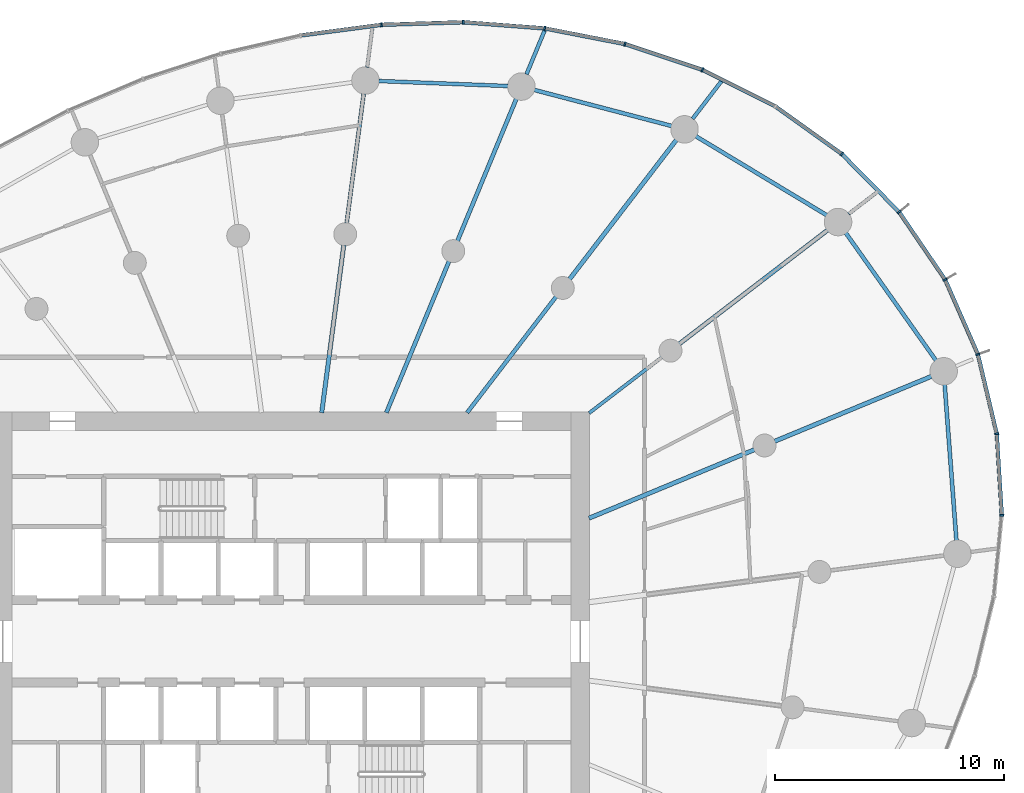
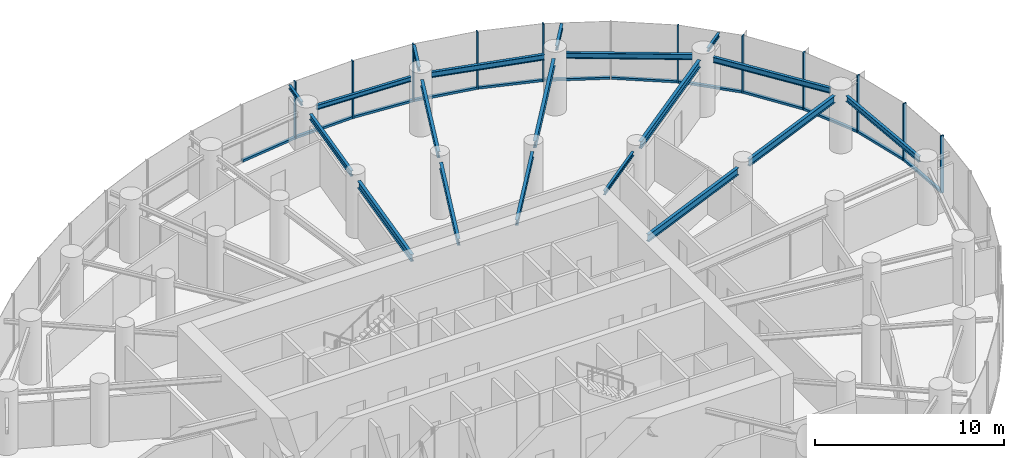
# One storey, part 7 of 18: 23 members, 19 beams, 3 elements without a shape of their own.
"""IFC4 building model written with IfcOpenShell, lengths in metres."""

from ifc_helpers import new_model, si_unit, direction, frame, origin, origin_2d, place, context, subcontext, project, spatial, rectangle, i_section, extrude, source, transform, mapped, material, layer, layer_set, material_profile, profile_set, type_object, element, aggregate, save


model = new_model("IFC4")

# Units and contexts
model_context = context("Model", 3, precision=1e-05, world=origin(), true_north=direction((0.0, 1.0)))
body_context = subcontext(model_context, "Body", "Model", "MODEL_VIEW")
ifc_project = project(units=[si_unit("LENGTHUNIT", "METRE"), si_unit("AREAUNIT", "SQUARE_METRE"), si_unit("VOLUMEUNIT", "CUBIC_METRE"), si_unit("PLANEANGLEUNIT", "RADIAN"), si_unit("MASSUNIT", "GRAM", prefix="KILO")], contexts=[model_context])

# Site, building, storey
site_placement = place(None, origin())
site = spatial("IfcSite", under=ifc_project, at=site_placement, CompositionType="ELEMENT")
building_placement = place(site_placement, origin())
building = spatial("IfcBuilding", under=site, at=building_placement, Name="Spindrift Exchange Tower", CompositionType="ELEMENT")
storey_placement = place(building_placement, frame((0.0, 0.0, 116.699951171875)))
storey = spatial("IfcBuildingStorey", under=building, at=storey_placement, Name="L27", CompositionType="ELEMENT", Elevation=116.699951171875)

# Beams
ifc_material_1 = material(Name="Steel Grade 300", Category="steel")
ifc_material_profile_1 = material_profile(ifc_material_1, i_section(OverallWidth=0.18994140625, OverallDepth=0.45703125, WebThickness=0.009033203125, FlangeThickness=0.014404296875, FilletRadius=0.013916015625, at=origin_2d()), Name="460UB74.6")
ifc_profile_set_1 = profile_set([ifc_material_profile_1], Name="Steel Grade 300")
beam_type_1 = type_object("IfcBeamType", Name="Floor Beam 460UB74.6 Steel Grade 300", PredefinedType="BEAM", material=ifc_profile_set_1)
shared_shape_1 = source(origin(), body_context, "Body", "SweptSolid", [
    extrude(i_section(OverallWidth=0.18994140625, OverallDepth=0.45703125, WebThickness=0.009033203125, FlangeThickness=0.014404296875, FilletRadius=0.013916015625, at=origin_2d()), origin(), (0.0, 0.0, 1.0), 7.808837890625),
])
beam_1_placement = place(storey_placement, frame((64.9814453125, 53.377197265625, 3.471435546875), z_axis=(0.92387965154, 0.382683145003, 0.0), x_axis=(-0.382683145003, 0.92387965154, 0.0)))
element("IfcBeam", 1, at=beam_1_placement, inside=storey, type_object=beam_type_1, Name="L27 radial beam R02A", PredefinedType="BEAM", context=body_context, shape_type="MappedRepresentation", body=[
    mapped(shared_shape_1, transform((0.0, 0.0, 0.0), scale=1.0)),
])
ifc_material_profile_2 = material_profile(ifc_material_1, i_section(OverallWidth=0.14599609375, OverallDepth=0.251953125, WebThickness=0.006103515625, FlangeThickness=0.008544921875, FilletRadius=0.011962890625, at=origin_2d()), Name="250UB31.4")
ifc_profile_set_2 = profile_set([ifc_material_profile_2], Name="Steel Grade 300")
beam_type_2 = type_object("IfcBeamType", Name="Floor Beam 250UB31.4 Steel Grade 300", PredefinedType="BEAM", material=ifc_profile_set_2)
shared_shape_2 = source(origin(), body_context, "Body", "SweptSolid", [
    extrude(i_section(OverallWidth=0.14599609375, OverallDepth=0.251953125, WebThickness=0.006103515625, FlangeThickness=0.008544921875, FilletRadius=0.011962890625, at=origin_2d()), origin(), (0.0, 0.0, 1.0), 3.99560546875),
])
beam_2_placement = place(storey_placement, frame((64.984130859375, 57.963134765625, 3.573974609375), z_axis=(0.793352561574, 0.608762443851, 0.0), x_axis=(-0.608762443851, 0.793352561574, 0.0)))
element("IfcBeam", 2, at=beam_2_placement, inside=storey, type_object=beam_type_2, Name="L27 radial beam R03A", PredefinedType="BEAM", context=body_context, shape_type="MappedRepresentation", body=[
    mapped(shared_shape_2, transform((0.0, 0.0, 0.0), scale=1.0)),
])
ifc_material_profile_3 = material_profile(ifc_material_1, i_section(OverallWidth=0.172119140625, OverallDepth=0.35888671875, WebThickness=0.008056640625, FlangeThickness=0.012939453125, FilletRadius=0.013916015625, at=origin_2d()), Name="360UB56.7")
ifc_profile_set_3 = profile_set([ifc_material_profile_3], Name="Steel Grade 300")
beam_type_3 = type_object("IfcBeamType", Name="Floor Beam 360UB56.7 Steel Grade 300", PredefinedType="BEAM", material=ifc_profile_set_3)
shared_shape_3 = source(origin(), body_context, "Body", "SweptSolid", [
    extrude(i_section(OverallWidth=0.172119140625, OverallDepth=0.35888671875, WebThickness=0.008056640625, FlangeThickness=0.012939453125, FilletRadius=0.013916015625, at=origin_2d()), origin(), (0.0, 0.0, 1.0), 6.37646484375),
])
beam_3_placement = place(storey_placement, frame((59.6611328125, 57.984130859375, 3.5205078125), z_axis=(0.608766669952, 0.793349318747, 0.0), x_axis=(-0.793349318747, 0.608766669952, 0.0)))
element("IfcBeam", 3, at=beam_3_placement, inside=storey, type_object=beam_type_3, Name="L27 radial beam R04A", PredefinedType="BEAM", context=body_context, shape_type="MappedRepresentation", body=[
    mapped(shared_shape_3, transform((0.0, 0.0, 0.0), scale=1.0)),
])
ifc_material_profile_4 = material_profile(ifc_material_1, i_section(OverallWidth=0.177978515625, OverallDepth=0.406005859375, WebThickness=0.0078125, FlangeThickness=0.0126953125, FilletRadius=0.013916015625, at=origin_2d()), Name="410UB59.7")
ifc_profile_set_4 = profile_set([ifc_material_profile_4], Name="Steel Grade 300")
beam_type_4 = type_object("IfcBeamType", Name="Floor Beam 410UB59.7 Steel Grade 300", PredefinedType="BEAM", material=ifc_profile_set_4)
shared_shape_4 = source(origin(), body_context, "Body", "SweptSolid", [
    extrude(i_section(OverallWidth=0.177978515625, OverallDepth=0.406005859375, WebThickness=0.0078125, FlangeThickness=0.0126953125, FilletRadius=0.013916015625, at=origin_2d()), origin(), (0.0, 0.0, 1.0), 7.150634765625),
])
beam_4_placement = place(storey_placement, frame((56.134521484375, 57.9814453125, 3.4970703125), z_axis=(0.382665393358, 0.923887004306, 0.0), x_axis=(-0.923887004306, 0.382665393358, 0.0)))
element("IfcBeam", 4, at=beam_4_placement, inside=storey, type_object=beam_type_4, Name="L27 radial beam R05A", PredefinedType="BEAM", context=body_context, shape_type="MappedRepresentation", body=[
    mapped(shared_shape_4, transform((0.0, 0.0, 0.0), scale=1.0)),
])
shared_shape_5 = source(origin(), body_context, "Body", "SweptSolid", [
    extrude(i_section(OverallWidth=0.18994140625, OverallDepth=0.45703125, WebThickness=0.009033203125, FlangeThickness=0.014404296875, FilletRadius=0.013916015625, at=origin_2d()), origin(), (0.0, 0.0, 1.0), 7.374267578125),
])
beam_5_placement = place(storey_placement, frame((53.31396484375, 57.980224609375, 3.471435546875), z_axis=(0.130539295622, 0.99144313619, 0.0), x_axis=(-0.99144313619, 0.130539295622, 0.0)))
element("IfcBeam", 5, at=beam_5_placement, inside=storey, type_object=beam_type_1, Name="L27 radial beam R06A", PredefinedType="BEAM", context=body_context, shape_type="MappedRepresentation", body=[
    mapped(shared_shape_5, transform((0.0, 0.0, 0.0), scale=1.0)),
])
shared_shape_6 = source(origin(), body_context, "Body", "SweptSolid", [
    extrude(i_section(OverallWidth=0.18994140625, OverallDepth=0.45703125, WebThickness=0.009033203125, FlangeThickness=0.014404296875, FilletRadius=0.013916015625, at=origin_2d()), origin(), (0.0, 0.0, 1.0), 7.400146484375),
])
beam_6_placement = place(storey_placement, frame((73.082763671875, 56.73291015625, 3.471435546875), z_axis=(0.923886957755, 0.382665505749, 0.0), x_axis=(-0.382665505749, 0.923886957755, 0.0)))
element("IfcBeam", 6, at=beam_6_placement, inside=storey, type_object=beam_type_1, Name="L27 radial beam R02B", PredefinedType="BEAM", context=body_context, shape_type="MappedRepresentation", body=[
    mapped(shared_shape_6, transform((0.0, 0.0, 0.0), scale=1.0)),
])
shared_shape_7 = source(origin(), body_context, "Body", "SweptSolid", [
    extrude(i_section(OverallWidth=0.18994140625, OverallDepth=0.45703125, WebThickness=0.009033203125, FlangeThickness=0.014404296875, FilletRadius=0.013916015625, at=origin_2d()), origin(), (0.0, 0.0, 1.0), 8.158447265625),
])
beam_7_placement = place(storey_placement, frame((68.91552734375, 60.979736328125, 3.471435546875), z_axis=(0.793358732539, 0.608754401631, 0.0), x_axis=(-0.608754401631, 0.793358732539, 0.0)))
element("IfcBeam", 7, at=beam_7_placement, inside=storey, type_object=beam_type_1, Name="L27 radial beam R03B", PredefinedType="BEAM", context=body_context, shape_type="MappedRepresentation", body=[
    mapped(shared_shape_7, transform((0.0, 0.0, 0.0), scale=1.0)),
])
shared_shape_8 = source(origin(), body_context, "Body", "SweptSolid", [
    extrude(i_section(OverallWidth=0.18994140625, OverallDepth=0.45703125, WebThickness=0.009033203125, FlangeThickness=0.014404296875, FilletRadius=0.013916015625, at=origin_2d()), origin(), (0.0, 0.0, 1.0), 7.663818359375),
])
beam_8_placement = place(storey_placement, frame((64.127197265625, 63.8046875, 3.471435546875), z_axis=(0.608771227503, 0.793345821546, 0.0), x_axis=(-0.793345821546, 0.608771227503, 0.0)))
element("IfcBeam", 8, at=beam_8_placement, inside=storey, type_object=beam_type_1, Name="L27 radial beam R04B", PredefinedType="BEAM", context=body_context, shape_type="MappedRepresentation", body=[
    mapped(shared_shape_8, transform((0.0, 0.0, 0.0), scale=1.0)),
])
shared_shape_9 = source(origin(), body_context, "Body", "SweptSolid", [
    extrude(i_section(OverallWidth=0.177978515625, OverallDepth=0.406005859375, WebThickness=0.0078125, FlangeThickness=0.0126953125, FilletRadius=0.013916015625, at=origin_2d()), origin(), (0.0, 0.0, 1.0), 6.71240234375),
])
beam_9_placement = place(storey_placement, frame((59.23828125, 65.474853515625, 3.4970703125), z_axis=(0.382669812754, 0.923885173821, 0.0), x_axis=(-0.923885173821, 0.382669812754, 0.0)))
element("IfcBeam", 9, at=beam_9_placement, inside=storey, type_object=beam_type_4, Name="L27 radial beam R05B", PredefinedType="BEAM", context=body_context, shape_type="MappedRepresentation", body=[
    mapped(shared_shape_9, transform((0.0, 0.0, 0.0), scale=1.0)),
])
shared_shape_10 = source(origin(), body_context, "Body", "SweptSolid", [
    extrude(i_section(OverallWidth=0.172119140625, OverallDepth=0.35888671875, WebThickness=0.008056640625, FlangeThickness=0.012939453125, FilletRadius=0.013916015625, at=origin_2d()), origin(), (0.0, 0.0, 1.0), 5.70751953125),
])
beam_10_placement = place(storey_placement, frame((54.40185546875, 66.2431640625, 3.5205078125), z_axis=(0.130507624881, 0.991447305634, 0.0), x_axis=(-0.991447305634, 0.130507624881, 0.0)))
element("IfcBeam", 10, at=beam_10_placement, inside=storey, type_object=beam_type_3, Name="L27 radial beam R06B", PredefinedType="BEAM", context=body_context, shape_type="MappedRepresentation", body=[
    mapped(shared_shape_10, transform((0.0, 0.0, 0.0), scale=1.0)),
])
ifc_material_profile_5 = material_profile(ifc_material_1, i_section(OverallWidth=0.172119140625, OverallDepth=0.35888671875, WebThickness=0.008056640625, FlangeThickness=0.012939453125, FilletRadius=0.013916015625, at=origin_2d()), Name="360UB56.7")
ifc_profile_set_5 = profile_set([ifc_material_profile_5], Name="Steel Grade 300")
beam_type_5 = type_object("IfcBeamType", Name="Edge Beam 360UB56.7 Steel Grade 300", PredefinedType="SPANDREL", material=ifc_profile_set_5)
shared_shape_11 = source(origin(), body_context, "Body", "SweptSolid", [
    extrude(i_section(OverallWidth=0.172119140625, OverallDepth=0.35888671875, WebThickness=0.008056640625, FlangeThickness=0.012939453125, FilletRadius=0.013916015625, at=origin_2d()), origin(), (0.0, 0.0, 1.0), 6.82373046875),
])
beam_11_placement = place(storey_placement, frame((81.0126953125, 52.40380859375, 3.5205078125), z_axis=(-0.075276463877, 0.997162701863, 0.0), x_axis=(-0.997162701863, -0.075276463877, 0.0)))
element("IfcBeam", 11, at=beam_11_placement, inside=storey, type_object=beam_type_5, Name="L27 edge beam E01", PredefinedType="SPANDREL", context=body_context, shape_type="MappedRepresentation", body=[
    mapped(shared_shape_11, transform((0.0, 0.0, 0.0), scale=1.0)),
])
shared_shape_12 = source(origin(), body_context, "Body", "SweptSolid", [
    extrude(i_section(OverallWidth=0.172119140625, OverallDepth=0.35888671875, WebThickness=0.008056640625, FlangeThickness=0.012939453125, FilletRadius=0.013916015625, at=origin_2d()), origin(), (0.0, 0.0, 1.0), 6.81787109375),
])
beam_12_placement = place(storey_placement, frame((80.12060546875, 60.260009765625, 3.5205078125), z_axis=(-0.577526426198, 0.816371990604, 0.0), x_axis=(-0.816371990604, -0.577526426198, 0.0)))
element("IfcBeam", 12, at=beam_12_placement, inside=storey, type_object=beam_type_5, Name="L27 edge beam E02", PredefinedType="SPANDREL", context=body_context, shape_type="MappedRepresentation", body=[
    mapped(shared_shape_12, transform((0.0, 0.0, 0.0), scale=1.0)),
])
shared_shape_13 = source(origin(), body_context, "Body", "SweptSolid", [
    extrude(i_section(OverallWidth=0.172119140625, OverallDepth=0.35888671875, WebThickness=0.008056640625, FlangeThickness=0.012939453125, FilletRadius=0.013916015625, at=origin_2d()), origin(), (0.0, 0.0, 1.0), 6.668701171875),
])
beam_13_placement = place(storey_placement, frame((75.3515625, 66.59912109375, 3.5205078125), z_axis=(-0.856133207479, 0.516755194508, 0.0), x_axis=(-0.516755194508, -0.856133207479, 0.0)))
element("IfcBeam", 13, at=beam_13_placement, inside=storey, type_object=beam_type_5, Name="L27 edge beam E03", PredefinedType="SPANDREL", context=body_context, shape_type="MappedRepresentation", body=[
    mapped(shared_shape_13, transform((0.0, 0.0, 0.0), scale=1.0)),
])
shared_shape_14 = source(origin(), body_context, "Body", "SweptSolid", [
    extrude(i_section(OverallWidth=0.172119140625, OverallDepth=0.35888671875, WebThickness=0.008056640625, FlangeThickness=0.012939453125, FilletRadius=0.013916015625, at=origin_2d()), origin(), (0.0, 0.0, 1.0), 6.197509765625),
])
beam_14_placement = place(storey_placement, frame((68.584716796875, 70.491943359375, 3.5205078125), z_axis=(-0.967254420813, 0.253808757567, 0.0), x_axis=(-0.253808757567, -0.967254420813, 0.0)))
element("IfcBeam", 14, at=beam_14_placement, inside=storey, type_object=beam_type_5, Name="L27 edge beam E04", PredefinedType="SPANDREL", context=body_context, shape_type="MappedRepresentation", body=[
    mapped(shared_shape_14, transform((0.0, 0.0, 0.0), scale=1.0)),
])
ifc_material_profile_6 = material_profile(ifc_material_1, i_section(OverallWidth=0.1650390625, OverallDepth=0.303955078125, WebThickness=0.006103515625, FlangeThickness=0.01025390625, FilletRadius=0.011474609375, at=origin_2d()), Name="310UB40.4")
ifc_profile_set_6 = profile_set([ifc_material_profile_6], Name="Steel Grade 300")
beam_type_6 = type_object("IfcBeamType", Name="Edge Beam 310UB40.4 Steel Grade 300", PredefinedType="SPANDREL", material=ifc_profile_set_6)
shared_shape_15 = source(origin(), body_context, "Body", "SweptSolid", [
    extrude(i_section(OverallWidth=0.1650390625, OverallDepth=0.303955078125, WebThickness=0.006103515625, FlangeThickness=0.01025390625, FilletRadius=0.011474609375, at=origin_2d()), origin(), (0.0, 0.0, 1.0), 5.65185546875),
])
beam_15_placement = place(storey_placement, frame((61.449462890625, 72.234619140625, 3.548095703125), z_axis=(-0.99924397539, 0.038877726865, 0.0), x_axis=(-0.038877726865, -0.99924397539, 0.0)))
element("IfcBeam", 15, at=beam_15_placement, inside=storey, type_object=beam_type_6, Name="L27 edge beam E05", PredefinedType="SPANDREL", context=body_context, shape_type="MappedRepresentation", body=[
    mapped(shared_shape_15, transform((0.0, 0.0, 0.0), scale=1.0)),
])
ifc_material_profile_7 = material_profile(ifc_material_1, i_section(OverallWidth=0.14599609375, OverallDepth=0.251953125, WebThickness=0.006103515625, FlangeThickness=0.008544921875, FilletRadius=0.011962890625, at=origin_2d()), Name="250UB31.4")
ifc_profile_set_7 = profile_set([ifc_material_profile_7], Name="Steel Grade 300")
beam_type_7 = type_object("IfcBeamType", Name="Cantilever Beam 250UB31.4 Steel Grade 300", PredefinedType="BEAM", material=ifc_profile_set_7)
shared_shape_16 = source(origin(), body_context, "Body", "SweptSolid", [
    extrude(i_section(OverallWidth=0.14599609375, OverallDepth=0.251953125, WebThickness=0.006103515625, FlangeThickness=0.008544921875, FilletRadius=0.011962890625, at=origin_2d()), origin(), (0.0, 0.0, 1.0), 1.535400390625),
])
beam_16_placement = place(storey_placement, frame((76.308349609375, 66.652587890625, 3.573974609375), z_axis=(0.793427183754, 0.608665182247, 0.0), x_axis=(-0.608665182247, 0.793427183754, 0.0)))
element("IfcBeam", 16, at=beam_16_placement, inside=storey, type_object=beam_type_7, Name="L27 cantilever beam R03T", PredefinedType="BEAM", context=body_context, shape_type="MappedRepresentation", body=[
    mapped(shared_shape_16, transform((0.0, 0.0, 0.0), scale=1.0)),
])
ifc_material_profile_8 = material_profile(ifc_material_1, i_section(OverallWidth=0.1650390625, OverallDepth=0.303955078125, WebThickness=0.006103515625, FlangeThickness=0.01025390625, FilletRadius=0.011474609375, at=origin_2d()), Name="310UB40.4")
ifc_profile_set_8 = profile_set([ifc_material_profile_8], Name="Steel Grade 300")
beam_type_8 = type_object("IfcBeamType", Name="Cantilever Beam 310UB40.4 Steel Grade 300", PredefinedType="BEAM", material=ifc_profile_set_8)
shared_shape_17 = source(origin(), body_context, "Body", "SweptSolid", [
    extrude(i_section(OverallWidth=0.1650390625, OverallDepth=0.303955078125, WebThickness=0.006103515625, FlangeThickness=0.01025390625, FilletRadius=0.011474609375, at=origin_2d()), origin(), (0.0, 0.0, 1.0), 2.08935546875),
])
beam_17_placement = place(storey_placement, frame((69.498779296875, 70.804931640625, 3.548095703125), z_axis=(0.608806813352, 0.793318513598, 0.0), x_axis=(-0.793318513598, 0.608806813352, 0.0)))
element("IfcBeam", 17, at=beam_17_placement, inside=storey, type_object=beam_type_8, Name="L27 cantilever beam R04T", PredefinedType="BEAM", context=body_context, shape_type="MappedRepresentation", body=[
    mapped(shared_shape_17, transform((0.0, 0.0, 0.0), scale=1.0)),
])
shared_shape_18 = source(origin(), body_context, "Body", "SweptSolid", [
    extrude(i_section(OverallWidth=0.1650390625, OverallDepth=0.303955078125, WebThickness=0.006103515625, FlangeThickness=0.01025390625, FilletRadius=0.011474609375, at=origin_2d()), origin(), (0.0, 0.0, 1.0), 2.0712890625),
])
beam_18_placement = place(storey_placement, frame((62.2509765625, 72.748046875, 3.548095703125), z_axis=(0.382723081486, 0.923863108311, 0.0), x_axis=(-0.923863108311, 0.382723081486, 0.0)))
element("IfcBeam", 18, at=beam_18_placement, inside=storey, type_object=beam_type_8, Name="L27 cantilever beam R05T", PredefinedType="BEAM", context=body_context, shape_type="MappedRepresentation", body=[
    mapped(shared_shape_18, transform((0.0, 0.0, 0.0), scale=1.0)),
])
shared_shape_19 = source(origin(), body_context, "Body", "SweptSolid", [
    extrude(i_section(OverallWidth=0.14599609375, OverallDepth=0.251953125, WebThickness=0.006103515625, FlangeThickness=0.008544921875, FilletRadius=0.011962890625, at=origin_2d()), origin(), (0.0, 0.0, 1.0), 1.71923828125),
])
beam_19_placement = place(storey_placement, frame((55.298095703125, 73.0517578125, 3.573974609375), z_axis=(0.130638170116, 0.991430112771, 0.0), x_axis=(-0.991430112771, 0.130638170116, 0.0)))
element("IfcBeam", 19, at=beam_19_placement, inside=storey, type_object=beam_type_7, Name="L27 cantilever beam R06T", PredefinedType="BEAM", context=body_context, shape_type="MappedRepresentation", body=[
    mapped(shared_shape_19, transform((0.0, 0.0, 0.0), scale=1.0)),
])

# Curtain wall, members
ifc_material_2 = material(Name="Fritted laminated glass with bronze frame", Category="glass")
ifc_layer = layer(ifc_material_2, 0.18994140625)
ifc_layer_set = layer_set([ifc_layer], Name="ZONE 2 BRONZE FRITTED WALL")
curtain_wall_type = type_object("IfcCurtainWallType", Name="ZONE 2 BRONZE FRITTED WALL", PredefinedType="NOTDEFINED", material=ifc_layer_set)
curtain_wall_1_placement = place(storey_placement, origin())
curtain_wall_1 = element("IfcCurtainWall", 20, at=curtain_wall_1_placement, inside=storey, type_object=curtain_wall_type, Name="L27 Zone 2 Bronze Fritted Wall run 1", PredefinedType="NOTDEFINED")
ifc_material_3 = material(Name="Bronze anodised aluminium", Category="aluminium")
ifc_material_profile_9 = material_profile(ifc_material_3, rectangle(XDim=0.074951171875, YDim=0.18994140625, at=origin_2d()), Name="ZONE 2 BRONZE FRITTED WALL MULLION 75X190")
ifc_profile_set_9 = profile_set([ifc_material_profile_9], Name="Bronze anodised aluminium")
member_type_1 = type_object("IfcMemberType", Name="ZONE 2 BRONZE FRITTED WALL MULLION 75X190", PredefinedType="MULLION", material=ifc_profile_set_9)
shared_shape_20 = source(origin(), body_context, "Body", "SweptSolid", [
    extrude(rectangle(XDim=0.074951171875, YDim=0.18994140625, at=origin_2d()), origin(), (0.0, 0.0, 1.0), 3.699951171875),
])
member_1_placement = place(storey_placement, frame((80.518798828125, 63.7880859375, 0.0), z_axis=(0.0, 0.0, 1.0), x_axis=(-0.484343929741, 0.874877681578, 0.0)))
member_1 = element("IfcMember", 21, at=member_1_placement, type_object=member_type_1, Name="L27 mullion CW-2.1", PredefinedType="MULLION", context=body_context, shape_type="MappedRepresentation", body=[
    mapped(shared_shape_20, transform((0.0, 0.0, 0.0), scale=1.0)),
])
member_2_placement = place(storey_placement, frame((78.513916015625, 66.733154296875, 0.0), z_axis=(0.0, 0.0, 1.0), x_axis=(-0.635072666382, 0.772452398802, 0.0)))
member_2 = element("IfcMember", 22, at=member_2_placement, type_object=member_type_1, Name="L27 mullion CW-2.2", PredefinedType="MULLION", context=body_context, shape_type="MappedRepresentation", body=[
    mapped(shared_shape_20, transform((0.0, 0.0, 0.0), scale=1.0)),
])
member_3_placement = place(storey_placement, frame((76.011962890625, 69.27001953125, 0.0), z_axis=(0.0, 0.0, 1.0), x_axis=(-0.760323598862, 0.649544475008, 0.0)))
member_3 = element("IfcMember", 23, at=member_3_placement, type_object=member_type_1, Name="L27 mullion CW-2.3", PredefinedType="MULLION", context=body_context, shape_type="MappedRepresentation", body=[
    mapped(shared_shape_20, transform((0.0, 0.0, 0.0), scale=1.0)),
])
member_4_placement = place(storey_placement, frame((69.927978515625, 72.94189453125, 0.0), z_axis=(0.0, 0.0, 1.0), x_axis=(-0.923748019246, 0.383000779294, 0.0)))
member_4 = element("IfcMember", 24, at=member_4_placement, type_object=member_type_1, Name="L27 mullion CW-2.5", PredefinedType="MULLION", context=body_context, shape_type="MappedRepresentation", body=[
    mapped(shared_shape_20, transform((0.0, 0.0, 0.0), scale=1.0)),
])
member_5_placement = place(storey_placement, frame((66.545654296875, 74.069091796875, 0.0), z_axis=(0.0, 0.0, 1.0), x_axis=(-0.967107281838, 0.254368837352, 0.0)))
member_5 = element("IfcMember", 25, at=member_5_placement, type_object=member_type_1, Name="L27 mullion CW-2.6", PredefinedType="MULLION", context=body_context, shape_type="MappedRepresentation", body=[
    mapped(shared_shape_20, transform((0.0, 0.0, 0.0), scale=1.0)),
])

curtain_wall_2_placement = place(storey_placement, origin())
curtain_wall_2 = element("IfcCurtainWall", 26, at=curtain_wall_2_placement, inside=storey, type_object=curtain_wall_type, Name="L27 Zone 2 Bronze Fritted Wall run 2", PredefinedType="NOTDEFINED")
member_6_placement = place(storey_placement, frame((63.046142578125, 74.751708984375, 0.0), z_axis=(0.0, 0.0, 1.0), x_axis=(-0.991014445745, 0.1337548815, 0.0)))
member_6 = element("IfcMember", 27, at=member_6_placement, type_object=member_type_1, Name="L27 mullion CW-2.7", PredefinedType="MULLION", context=body_context, shape_type="MappedRepresentation", body=[
    mapped(shared_shape_20, transform((0.0, 0.0, 0.0), scale=1.0)),
])
member_7_placement = place(storey_placement, frame((59.490478515625, 75.021240234375, 0.0), z_axis=(0.0, 0.0, 1.0), x_axis=(-0.999758179287, 0.021990519513, 0.0)))
member_7 = element("IfcMember", 28, at=member_7_placement, type_object=member_type_1, Name="L27 mullion CW-2.8", PredefinedType="MULLION", context=body_context, shape_type="MappedRepresentation", body=[
    mapped(shared_shape_20, transform((0.0, 0.0, 0.0), scale=1.0)),
])
member_8_placement = place(storey_placement, frame((55.92626953125, 74.908447265625, 0.0), z_axis=(0.0, 0.0, 1.0), x_axis=(-0.996691622573, -0.081276131135, 0.0)))
member_8 = element("IfcMember", 29, at=member_8_placement, type_object=member_type_1, Name="L27 mullion CW-2.9", PredefinedType="MULLION", context=body_context, shape_type="MappedRepresentation", body=[
    mapped(shared_shape_20, transform((0.0, 0.0, 0.0), scale=1.0)),
])

curtain_wall_3_placement = place(storey_placement, origin())
curtain_wall_3 = element("IfcCurtainWall", 30, at=curtain_wall_3_placement, inside=storey, type_object=curtain_wall_type, Name="L27 Zone 2 Bronze Fritted Wall run 9", PredefinedType="NOTDEFINED")
member_9_placement = place(storey_placement, frame((82.9931640625, 53.501708984375, 0.0), z_axis=(0.0, 0.0, 1.0), x_axis=(0.016583626429, 0.999862482212, 0.0)))
member_9 = element("IfcMember", 31, at=member_9_placement, type_object=member_type_1, Name="L27 mullion CW-2.49", PredefinedType="MULLION", context=body_context, shape_type="MappedRepresentation", body=[
    mapped(shared_shape_20, transform((0.0, 0.0, 0.0), scale=1.0)),
])
member_10_placement = place(storey_placement, frame((82.772216796875, 57.05859375, 0.0), z_axis=(0.0, 0.0, 1.0), x_axis=(-0.146862759074, 0.989156878355, 0.0)))
member_10 = element("IfcMember", 32, at=member_10_placement, type_object=member_type_1, Name="L27 mullion CW-2.50", PredefinedType="MULLION", context=body_context, shape_type="MappedRepresentation", body=[
    mapped(shared_shape_20, transform((0.0, 0.0, 0.0), scale=1.0)),
])
member_11_placement = place(storey_placement, frame((81.9501953125, 60.525634765625, 0.0), z_axis=(0.0, 0.0, 1.0), x_axis=(-0.317517306205, 0.948252477065, 0.0)))
member_11 = element("IfcMember", 33, at=member_11_placement, type_object=member_type_1, Name="L27 mullion CW-2.51", PredefinedType="MULLION", context=body_context, shape_type="MappedRepresentation", body=[
    mapped(shared_shape_20, transform((0.0, 0.0, 0.0), scale=1.0)),
])

# Member
ifc_material_profile_10 = material_profile(ifc_material_3, rectangle(XDim=0.169921875, YDim=0.139892578125, at=origin_2d()), Name="ZONE 2 BRONZE FRITTED WALL TRANSOM 170X140")
ifc_profile_set_10 = profile_set([ifc_material_profile_10], Name="Bronze anodised aluminium")
member_type_2 = type_object("IfcMemberType", Name="ZONE 2 BRONZE FRITTED WALL TRANSOM 170X140", PredefinedType="USERDEFINED", material=ifc_profile_set_10)
shared_shape_21 = source(origin(), body_context, "Body", "SweptSolid", [
    extrude(rectangle(XDim=0.169921875, YDim=0.139892578125, at=origin_2d()), origin(), (0.0, 0.0, 1.0), 3.4912109375),
])
member_12_placement = place(storey_placement, frame((59.453125, 75.02001953125, 0.070068359375), z_axis=(-0.999500340105, -0.031608070645, 0.0), x_axis=(0.031608070645, -0.999500340105, 0.0)))
member_12 = element("IfcMember", 34, at=member_12_placement, type_object=member_type_2, Name="L27 transom CW-2.8", ObjectType="TRANSOM", PredefinedType="USERDEFINED", context=body_context, shape_type="MappedRepresentation", body=[
    mapped(shared_shape_21, transform((0.0, 0.0, 0.0), scale=1.0)),
])

shared_shape_22 = source(origin(), body_context, "Body", "SweptSolid", [
    extrude(rectangle(XDim=0.169921875, YDim=0.139892578125, at=origin_2d()), origin(), (0.0, 0.0, 1.0), 3.490478515625),
])
member_13_placement = place(storey_placement, frame((66.5087890625, 74.076171875, 0.070068359375), z_axis=(-0.981489950676, 0.191513646305, 0.0), x_axis=(-0.191513646305, -0.981489950676, 0.0)))
member_13 = element("IfcMember", 35, at=member_13_placement, type_object=member_type_2, Name="L27 transom CW-2.6", ObjectType="TRANSOM", PredefinedType="USERDEFINED", context=body_context, shape_type="MappedRepresentation", body=[
    mapped(shared_shape_22, transform((0.0, 0.0, 0.0), scale=1.0)),
])

shared_shape_23 = source(origin(), body_context, "Body", "SweptSolid", [
    extrude(rectangle(XDim=0.169921875, YDim=0.139892578125, at=origin_2d()), origin(), (0.0, 0.0, 1.0), 3.48779296875),
])
member_14_placement = place(storey_placement, frame((80.497802734375, 63.819091796875, 0.070068359375), z_axis=(-0.562782836258, 0.82660479022, 0.0), x_axis=(-0.82660479022, -0.562782836258, 0.0)))
member_14 = element("IfcMember", 36, at=member_14_placement, type_object=member_type_2, Name="L27 transom CW-2.1", ObjectType="TRANSOM", PredefinedType="USERDEFINED", context=body_context, shape_type="MappedRepresentation", body=[
    mapped(shared_shape_23, transform((0.0, 0.0, 0.0), scale=1.0)),
])

member_15_placement = place(storey_placement, frame((81.935302734375, 60.56005859375, 0.070068359375), z_axis=(-0.401795381871, 0.915729474849, 0.0), x_axis=(-0.915729474849, -0.401795381871, 0.0)))
member_15 = element("IfcMember", 37, at=member_15_placement, type_object=member_type_2, Name="L27 transom CW-2.51", ObjectType="TRANSOM", PredefinedType="USERDEFINED", context=body_context, shape_type="MappedRepresentation", body=[
    mapped(shared_shape_23, transform((0.0, 0.0, 0.0), scale=1.0)),
])

shared_shape_24 = source(origin(), body_context, "Body", "SweptSolid", [
    extrude(rectangle(XDim=0.169921875, YDim=0.139892578125, at=origin_2d()), origin(), (0.0, 0.0, 1.0), 3.489501953125),
])
member_16_placement = place(storey_placement, frame((73.081298828125, 71.3623046875, 0.070068359375), z_axis=(-0.894105112321, 0.447857173798, 0.0), x_axis=(-0.447857173798, -0.894105112321, 0.0)))
member_16 = element("IfcMember", 38, at=member_16_placement, type_object=member_type_2, Name="L27 transom CW-2.4", ObjectType="TRANSOM", PredefinedType="USERDEFINED", context=body_context, shape_type="MappedRepresentation", body=[
    mapped(shared_shape_24, transform((0.0, 0.0, 0.0), scale=1.0)),
])

shared_shape_25 = source(origin(), body_context, "Body", "SweptSolid", [
    extrude(rectangle(XDim=0.169921875, YDim=0.139892578125, at=origin_2d()), origin(), (0.0, 0.0, 1.0), 3.491455078125),
])
member_17_placement = place(storey_placement, frame((55.888916015625, 74.903564453125, 0.070068359375), z_axis=(-0.991413786809, -0.130762010251, 0.0), x_axis=(0.130762010251, -0.991413786809, 0.0)))
member_17 = element("IfcMember", 39, at=member_17_placement, type_object=member_type_2, Name="L27 transom CW-2.9", ObjectType="TRANSOM", PredefinedType="USERDEFINED", context=body_context, shape_type="MappedRepresentation", body=[
    mapped(shared_shape_25, transform((0.0, 0.0, 0.0), scale=1.0)),
])

shared_shape_26 = source(origin(), body_context, "Body", "SweptSolid", [
    extrude(rectangle(XDim=0.169921875, YDim=0.139892578125, at=origin_2d()), origin(), (0.0, 0.0, 1.0), 3.490966796875),
])
member_18_placement = place(storey_placement, frame((63.0087890625, 74.754638671875, 0.070068359375), z_axis=(-0.997143486143, 0.075530576872, 0.0), x_axis=(-0.075530576872, -0.997143486143, 0.0)))
member_18 = element("IfcMember", 40, at=member_18_placement, type_object=member_type_2, Name="L27 transom CW-2.7", ObjectType="TRANSOM", PredefinedType="USERDEFINED", context=body_context, shape_type="MappedRepresentation", body=[
    mapped(shared_shape_26, transform((0.0, 0.0, 0.0), scale=1.0)),
])

aggregate(curtain_wall_2, [member_6, member_18, member_7, member_12, member_8, member_17])

shared_shape_27 = source(origin(), body_context, "Body", "SweptSolid", [
    extrude(rectangle(XDim=0.169921875, YDim=0.139892578125, at=origin_2d()), origin(), (0.0, 0.0, 1.0), 3.488525390625),
])
member_19_placement = place(storey_placement, frame((82.99072265625, 53.539306640625, 0.070068359375), z_axis=(-0.062003594903, 0.998075926079, 0.0), x_axis=(-0.998075926079, -0.062003594903, 0.0)))
member_19 = element("IfcMember", 41, at=member_19_placement, type_object=member_type_2, Name="L27 transom CW-2.49", ObjectType="TRANSOM", PredefinedType="USERDEFINED", context=body_context, shape_type="MappedRepresentation", body=[
    mapped(shared_shape_27, transform((0.0, 0.0, 0.0), scale=1.0)),
])

shared_shape_28 = source(origin(), body_context, "Body", "SweptSolid", [
    extrude(rectangle(XDim=0.169921875, YDim=0.139892578125, at=origin_2d()), origin(), (0.0, 0.0, 1.0), 3.488037109375),
])
member_20_placement = place(storey_placement, frame((78.487548828125, 66.759765625, 0.070068359375), z_axis=(-0.702155160312, 0.712023967888, 0.0), x_axis=(-0.712023967888, -0.702155160312, 0.0)))
member_20 = element("IfcMember", 42, at=member_20_placement, type_object=member_type_2, Name="L27 transom CW-2.2", ObjectType="TRANSOM", PredefinedType="USERDEFINED", context=body_context, shape_type="MappedRepresentation", body=[
    mapped(shared_shape_28, transform((0.0, 0.0, 0.0), scale=1.0)),
])

member_21_placement = place(storey_placement, frame((82.763671875, 57.09521484375, 0.070068359375), z_axis=(-0.230693105289, 0.973026562419, 0.0), x_axis=(-0.973026562419, -0.230693105289, 0.0)))
member_21 = element("IfcMember", 43, at=member_21_placement, type_object=member_type_2, Name="L27 transom CW-2.50", ObjectType="TRANSOM", PredefinedType="USERDEFINED", context=body_context, shape_type="MappedRepresentation", body=[
    mapped(shared_shape_28, transform((0.0, 0.0, 0.0), scale=1.0)),
])

aggregate(curtain_wall_3, [member_9, member_19, member_10, member_21, member_11, member_15])

shared_shape_29 = source(origin(), body_context, "Body", "SweptSolid", [
    extrude(rectangle(XDim=0.169921875, YDim=0.139892578125, at=origin_2d()), origin(), (0.0, 0.0, 1.0), 3.48876953125),
])
member_22_placement = place(storey_placement, frame((75.9814453125, 69.2919921875, 0.070068359375), z_axis=(-0.81296675868, 0.582310097183, 0.0), x_axis=(-0.582310097183, -0.81296675868, 0.0)))
member_22 = element("IfcMember", 44, at=member_22_placement, type_object=member_type_2, Name="L27 transom CW-2.3", ObjectType="TRANSOM", PredefinedType="USERDEFINED", context=body_context, shape_type="MappedRepresentation", body=[
    mapped(shared_shape_29, transform((0.0, 0.0, 0.0), scale=1.0)),
])

shared_shape_30 = source(origin(), body_context, "Body", "SweptSolid", [
    extrude(rectangle(XDim=0.169921875, YDim=0.139892578125, at=origin_2d()), origin(), (0.0, 0.0, 1.0), 3.489990234375),
])
member_23_placement = place(storey_placement, frame((69.892333984375, 72.95361328125, 0.070068359375), z_axis=(-0.948697287644, 0.316185794142, 0.0), x_axis=(-0.316185794142, -0.948697287644, 0.0)))
member_23 = element("IfcMember", 45, at=member_23_placement, type_object=member_type_2, Name="L27 transom CW-2.5", ObjectType="TRANSOM", PredefinedType="USERDEFINED", context=body_context, shape_type="MappedRepresentation", body=[
    mapped(shared_shape_30, transform((0.0, 0.0, 0.0), scale=1.0)),
])

aggregate(curtain_wall_1, [member_1, member_14, member_2, member_20, member_3, member_22, member_16, member_4, member_23, member_5, member_13])

save(model, "model.ifc")
